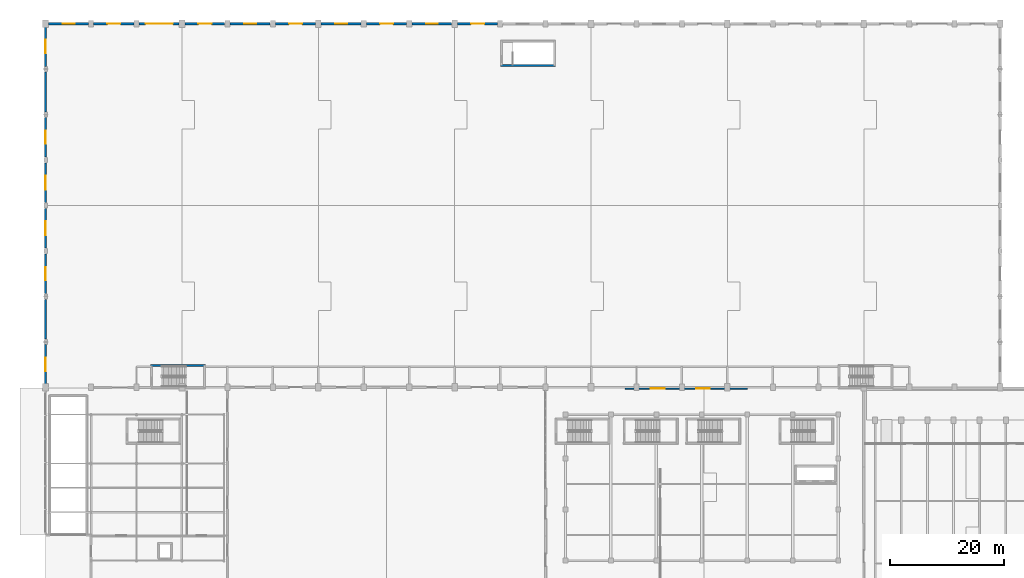
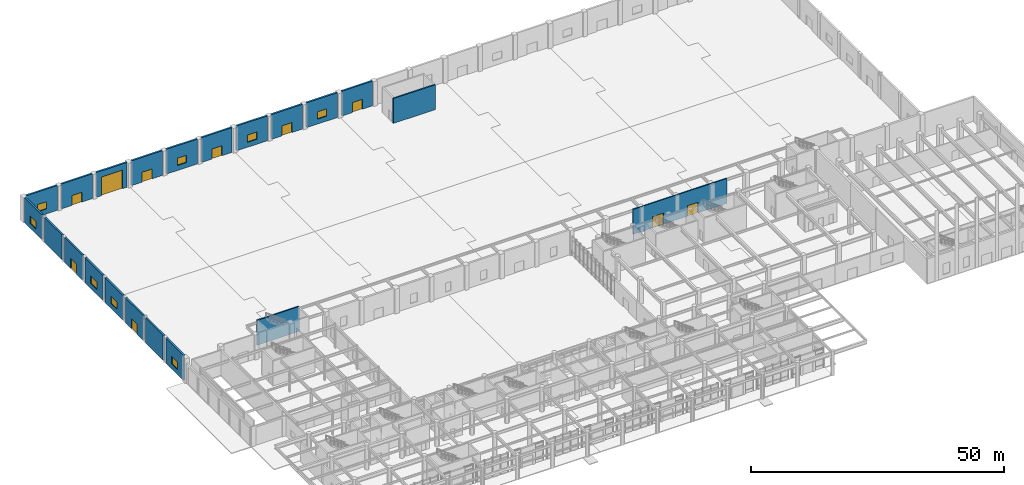
# One storey, part 33 of 49: 21 walls, 10 doors, 8 windows, 18 openings.
"""IFC4 building model written with IfcOpenShell, lengths in metres."""

from ifc_helpers import new_model, si_unit, direction, frame, frame_2d, origin, place, context, subcontext, project, spatial, rectangle, extrude, material, layer, layer_set, type_object, element, fill, save


model = new_model("IFC4")

# Units and contexts
model_context = context("Model", 3, precision=1e-05, world=origin(), true_north=direction((0.0, 1.0)))
body_context = subcontext(model_context, "Body", "Model", "MODEL_VIEW")
ifc_project = project(units=[si_unit("LENGTHUNIT", "METRE"), si_unit("AREAUNIT", "SQUARE_METRE"), si_unit("VOLUMEUNIT", "CUBIC_METRE"), si_unit("PLANEANGLEUNIT", "RADIAN"), si_unit("MASSUNIT", "GRAM", prefix="KILO")], contexts=[model_context])

# Site, building, storey
site_placement = place(None, origin())
site = spatial("IfcSite", under=ifc_project, at=site_placement, CompositionType="ELEMENT")
building_placement = place(site_placement, origin())
building = spatial("IfcBuilding", under=site, at=building_placement, Name="Tlacozan Convention Centre", CompositionType="ELEMENT")
storey_placement = place(building_placement, origin())
storey = spatial("IfcBuildingStorey", under=building, at=storey_placement, Name="L00", CompositionType="ELEMENT", Elevation=0.0)

# Wall, opening, window
ifc_material_1 = material(Name="Concrete C40/50", Category="concrete")
ifc_layer_1 = layer(ifc_material_1, 0.39990234375)
ifc_layer_set_1 = layer_set([ifc_layer_1], Name="Concrete C40/50")
wall_type_1 = type_object("IfcWallType", Name="Cantera Structural Hall Wall 400", PredefinedType="SOLIDWALL", material=ifc_layer_set_1)
wall_1_placement = place(storey_placement, frame((0.514892578125, 126.0, 0.0), z_axis=(0.0, 0.0, 1.0), x_axis=(1.0, 0.0, 0.0)))
wall_1 = element("IfcWall", 1, at=wall_1_placement, inside=storey, type_object=wall_type_1, Name="L00 Cantera Structural Hall Wall 400 13", PredefinedType="SOLIDWALL", context=body_context, shape_type="SweptSolid", body=[
    extrude(rectangle(XDim=7.02001953125, YDim=0.39990234375, at=frame_2d((3.510009765625, 0.0))), origin(), (0.0, 0.0, 1.0), 6.0),
])
opening_1_placement = place(wall_1_placement, frame((2.5, 0.0, 1.199951171875)))
opening_1 = element("IfcOpeningElement", 2, at=opening_1_placement, cuts=wall_1, Name="Opening WN-05", PredefinedType="OPENING", context=body_context, shape_type="SweptSolid", body=[
    extrude(rectangle(XDim=2.10009765625, YDim=1.75, at=frame_2d((1.050048828125, 0.875))), frame((0.0, 0.2099609375, 0.0), z_axis=(0.0, -1.0, 0.0), x_axis=(1.0, 0.0, 0.0)), (0.0, 0.0, 1.0), 0.419921875),
])
ifc_material_2 = material(Name="Solar Control Double Low-E Argon Glazing", Category="glass")
window_type_1 = type_object("IfcWindowType", Name="Exhibition Hall Gallery Window 2100x1750", PartitioningType="SINGLE_PANEL", PredefinedType="WINDOW", material=ifc_material_2)
window_1_placement = place(opening_1_placement, origin())
window_1 = element("IfcWindow", 3, at=window_1_placement, inside=storey, type_object=window_type_1, Name="L00 Exhibition Hall Gallery Window 2100x1750 1", OverallHeight=1.75, OverallWidth=2.10009765625, PartitioningType="SINGLE_PANEL", PredefinedType="WINDOW", context=body_context, shape_type="SweptSolid", body=[
    extrude(rectangle(XDim=2.10009765625, YDim=1.75, at=frame_2d((1.050048828125, 0.875))), frame((0.0, 0.030029296875, 0.0), z_axis=(0.0, -1.0, 0.0), x_axis=(1.0, 0.0, 0.0)), (0.0, 0.0, 1.0), 0.06005859375),
])
fill(opening_1, window_1)

# Wall, opening, door
wall_2_placement = place(storey_placement, frame((8.465087890625, 126.0, 0.0), z_axis=(0.0, 0.0, 1.0), x_axis=(1.0, 0.0, 0.0)))
wall_2 = element("IfcWall", 4, at=wall_2_placement, inside=storey, type_object=wall_type_1, Name="L00 Cantera Structural Hall Wall 400 15", PredefinedType="SOLIDWALL", context=body_context, shape_type="SweptSolid", body=[
    extrude(rectangle(XDim=7.06982421875, YDim=0.39990234375, at=frame_2d((3.534912109375, 0.0))), origin(), (0.0, 0.0, 1.0), 6.0),
])
opening_2_placement = place(wall_2_placement, frame((2.39990234375, 0.0, 0.0)))
opening_2 = element("IfcOpeningElement", 5, at=opening_2_placement, cuts=wall_2, Name="Opening EX-D1", PredefinedType="OPENING", context=body_context, shape_type="SweptSolid", body=[
    extrude(rectangle(XDim=2.300048828125, YDim=2.39990234375, at=frame_2d((1.14990234375, 1.199951171875))), frame((0.0, 0.2099609375, 0.0), z_axis=(0.0, -1.0, 0.0), x_axis=(1.0, 0.0, 0.0)), (0.0, 0.0, 1.0), 0.419921875),
])
ifc_material_3 = material(Name="Thermally Broken Anodised Aluminium Door", Category="aluminium")
door_type_1 = type_object("IfcDoorType", Name="Pedestrian Final Exit Double Door 2300x2400", OperationType="DOUBLE_DOOR_SINGLE_SWING", PredefinedType="DOOR", material=ifc_material_3)
door_1_placement = place(opening_2_placement, origin())
door_1 = element("IfcDoor", 6, at=door_1_placement, inside=storey, type_object=door_type_1, Name="Final Pedestrian Exit EX-01", OperationType="DOUBLE_DOOR_SINGLE_SWING", OverallHeight=2.39990234375, OverallWidth=2.300048828125, PredefinedType="DOOR", context=body_context, shape_type="SweptSolid", body=[
    extrude(rectangle(XDim=2.300048828125, YDim=2.39990234375, at=frame_2d((1.14990234375, 1.199951171875))), frame((0.0, 0.02490234375, 0.0), z_axis=(0.0, -1.0, 0.0), x_axis=(1.0, 0.0, 0.0)), (0.0, 0.0, 1.0), 0.050048828125),
])
fill(opening_2, door_1)

wall_3_placement = place(storey_placement, frame((16.465087890625, 126.0, 0.0), z_axis=(0.0, 0.0, 1.0), x_axis=(1.0, 0.0, 0.0)))
wall_3 = element("IfcWall", 7, at=wall_3_placement, inside=storey, type_object=wall_type_1, Name="L00 Cantera Structural Hall Wall 400 17", PredefinedType="SOLIDWALL", context=body_context, shape_type="SweptSolid", body=[
    extrude(rectangle(XDim=7.02001953125, YDim=0.39990234375, at=frame_2d((3.510009765625, 0.0))), origin(), (0.0, 0.0, 1.0), 6.0),
])
opening_3_placement = place(wall_3_placement, frame((1.14990234375, 0.0, 0.0)))
opening_3 = element("IfcOpeningElement", 8, at=opening_3_placement, cuts=wall_3, Name="Opening FG-01", PredefinedType="OPENING", context=body_context, shape_type="SweptSolid", body=[
    extrude(rectangle(XDim=4.800048828125, YDim=4.5, at=frame_2d((2.39990234375, 2.25))), frame((0.0, 0.2099609375, 0.0), z_axis=(0.0, -1.0, 0.0), x_axis=(1.0, 0.0, 0.0)), (0.0, 0.0, 1.0), 0.419921875),
])
ifc_material_4 = material(Name="Insulated Galvanised Roller Shutter Leaf")
door_type_2 = type_object("IfcDoorType", Name="Exhibition Freight Drive-In Gate 4800x4500", OperationType="ROLLINGUP", PredefinedType="GATE", material=ifc_material_4)
door_2_placement = place(opening_3_placement, origin())
door_2 = element("IfcDoor", 9, at=door_2_placement, inside=storey, type_object=door_type_2, Name="L00 Exhibition Freight Drive-In Gate 4800x4500 1", OperationType="ROLLINGUP", OverallHeight=4.5, OverallWidth=4.800048828125, PredefinedType="GATE", context=body_context, shape_type="SweptSolid", body=[
    extrude(rectangle(XDim=4.800048828125, YDim=4.5, at=frame_2d((2.39990234375, 2.25))), frame((0.0, 0.02490234375, 0.0), z_axis=(0.0, -1.0, 0.0), x_axis=(1.0, 0.0, 0.0)), (0.0, 0.0, 1.0), 0.050048828125),
])
fill(opening_3, door_2)

wall_4_placement = place(storey_placement, frame((24.514892578125, 126.0, 0.0), z_axis=(0.0, 0.0, 1.0), x_axis=(1.0, 0.0, 0.0)))
wall_4 = element("IfcWall", 10, at=wall_4_placement, inside=storey, type_object=wall_type_1, Name="L00 Cantera Structural Hall Wall 400 19", PredefinedType="SOLIDWALL", context=body_context, shape_type="SweptSolid", body=[
    extrude(rectangle(XDim=7.02001953125, YDim=0.39990234375, at=frame_2d((3.510009765625, 0.0))), origin(), (0.0, 0.0, 1.0), 6.0),
])
opening_4_placement = place(wall_4_placement, frame((2.39990234375, 0.0, 0.0)))
opening_4 = element("IfcOpeningElement", 11, at=opening_4_placement, cuts=wall_4, Name="Opening EX-D1", PredefinedType="OPENING", context=body_context, shape_type="SweptSolid", body=[
    extrude(rectangle(XDim=2.300048828125, YDim=2.39990234375, at=frame_2d((1.14990234375, 1.199951171875))), frame((0.0, 0.2099609375, 0.0), z_axis=(0.0, -1.0, 0.0), x_axis=(1.0, 0.0, 0.0)), (0.0, 0.0, 1.0), 0.419921875),
])
door_3_placement = place(opening_4_placement, origin())
door_3 = element("IfcDoor", 12, at=door_3_placement, inside=storey, type_object=door_type_1, Name="Final Pedestrian Exit EX-02", OperationType="DOUBLE_DOOR_SINGLE_SWING", OverallHeight=2.39990234375, OverallWidth=2.300048828125, PredefinedType="DOOR", context=body_context, shape_type="SweptSolid", body=[
    extrude(rectangle(XDim=2.300048828125, YDim=2.39990234375, at=frame_2d((1.14990234375, 1.199951171875))), frame((0.0, 0.02490234375, 0.0), z_axis=(0.0, -1.0, 0.0), x_axis=(1.0, 0.0, 0.0)), (0.0, 0.0, 1.0), 0.050048828125),
])
fill(opening_4, door_3)

# Wall, opening, window
wall_5_placement = place(storey_placement, frame((32.465087890625, 126.0, 0.0), z_axis=(0.0, 0.0, 1.0), x_axis=(1.0, 0.0, 0.0)))
wall_5 = element("IfcWall", 13, at=wall_5_placement, inside=storey, type_object=wall_type_1, Name="L00 Cantera Structural Hall Wall 400 21", PredefinedType="SOLIDWALL", context=body_context, shape_type="SweptSolid", body=[
    extrude(rectangle(XDim=7.06982421875, YDim=0.39990234375, at=frame_2d((3.534912109375, 0.0))), origin(), (0.0, 0.0, 1.0), 6.0),
])
opening_5_placement = place(wall_5_placement, frame((2.5, 0.0, 1.199951171875)))
opening_5 = element("IfcOpeningElement", 14, at=opening_5_placement, cuts=wall_5, Name="Opening WN-05", PredefinedType="OPENING", context=body_context, shape_type="SweptSolid", body=[
    extrude(rectangle(XDim=2.10009765625, YDim=1.75, at=frame_2d((1.050048828125, 0.875))), frame((0.0, 0.2099609375, 0.0), z_axis=(0.0, -1.0, 0.0), x_axis=(1.0, 0.0, 0.0)), (0.0, 0.0, 1.0), 0.419921875),
])
window_2_placement = place(opening_5_placement, origin())
window_2 = element("IfcWindow", 15, at=window_2_placement, inside=storey, type_object=window_type_1, Name="L00 Exhibition Hall Gallery Window 2100x1750 4", OverallHeight=1.75, OverallWidth=2.10009765625, PartitioningType="SINGLE_PANEL", PredefinedType="WINDOW", context=body_context, shape_type="SweptSolid", body=[
    extrude(rectangle(XDim=2.10009765625, YDim=1.75, at=frame_2d((1.050048828125, 0.875))), frame((0.0, 0.030029296875, 0.0), z_axis=(0.0, -1.0, 0.0), x_axis=(1.0, 0.0, 0.0)), (0.0, 0.0, 1.0), 0.06005859375),
])
fill(opening_5, window_2)

# Wall, opening, door
wall_6_placement = place(storey_placement, frame((40.465087890625, 126.0, 0.0), z_axis=(0.0, 0.0, 1.0), x_axis=(1.0, 0.0, 0.0)))
wall_6 = element("IfcWall", 16, at=wall_6_placement, inside=storey, type_object=wall_type_1, Name="L00 Cantera Structural Hall Wall 400 23", PredefinedType="SOLIDWALL", context=body_context, shape_type="SweptSolid", body=[
    extrude(rectangle(XDim=7.02001953125, YDim=0.39990234375, at=frame_2d((3.510009765625, 0.0))), origin(), (0.0, 0.0, 1.0), 6.0),
])
opening_6_placement = place(wall_6_placement, frame((2.39990234375, 0.0, 0.0)))
opening_6 = element("IfcOpeningElement", 17, at=opening_6_placement, cuts=wall_6, Name="Opening EX-D1", PredefinedType="OPENING", context=body_context, shape_type="SweptSolid", body=[
    extrude(rectangle(XDim=2.300048828125, YDim=2.39990234375, at=frame_2d((1.14990234375, 1.199951171875))), frame((0.0, 0.2099609375, 0.0), z_axis=(0.0, -1.0, 0.0), x_axis=(1.0, 0.0, 0.0)), (0.0, 0.0, 1.0), 0.419921875),
])
door_4_placement = place(opening_6_placement, origin())
door_4 = element("IfcDoor", 18, at=door_4_placement, inside=storey, type_object=door_type_1, Name="Final Pedestrian Exit EX-03", OperationType="DOUBLE_DOOR_SINGLE_SWING", OverallHeight=2.39990234375, OverallWidth=2.300048828125, PredefinedType="DOOR", context=body_context, shape_type="SweptSolid", body=[
    extrude(rectangle(XDim=2.300048828125, YDim=2.39990234375, at=frame_2d((1.14990234375, 1.199951171875))), frame((0.0, 0.02490234375, 0.0), z_axis=(0.0, -1.0, 0.0), x_axis=(1.0, 0.0, 0.0)), (0.0, 0.0, 1.0), 0.050048828125),
])
fill(opening_6, door_4)

# Wall, opening, window
wall_7_placement = place(storey_placement, frame((48.514892578125, 126.0, 0.0), z_axis=(0.0, 0.0, 1.0), x_axis=(1.0, 0.0, 0.0)))
wall_7 = element("IfcWall", 19, at=wall_7_placement, inside=storey, type_object=wall_type_1, Name="L00 Cantera Structural Hall Wall 400 25", PredefinedType="SOLIDWALL", context=body_context, shape_type="SweptSolid", body=[
    extrude(rectangle(XDim=7.02001953125, YDim=0.39990234375, at=frame_2d((3.510009765625, 0.0))), origin(), (0.0, 0.0, 1.0), 6.0),
])
opening_7_placement = place(wall_7_placement, frame((2.5, 0.0, 1.199951171875)))
opening_7 = element("IfcOpeningElement", 20, at=opening_7_placement, cuts=wall_7, Name="Opening WN-05", PredefinedType="OPENING", context=body_context, shape_type="SweptSolid", body=[
    extrude(rectangle(XDim=2.10009765625, YDim=1.75, at=frame_2d((1.050048828125, 0.875))), frame((0.0, 0.2099609375, 0.0), z_axis=(0.0, -1.0, 0.0), x_axis=(1.0, 0.0, 0.0)), (0.0, 0.0, 1.0), 0.419921875),
])
window_3_placement = place(opening_7_placement, origin())
window_3 = element("IfcWindow", 21, at=window_3_placement, inside=storey, type_object=window_type_1, Name="L00 Exhibition Hall Gallery Window 2100x1750 6", OverallHeight=1.75, OverallWidth=2.10009765625, PartitioningType="SINGLE_PANEL", PredefinedType="WINDOW", context=body_context, shape_type="SweptSolid", body=[
    extrude(rectangle(XDim=2.10009765625, YDim=1.75, at=frame_2d((1.050048828125, 0.875))), frame((0.0, 0.030029296875, 0.0), z_axis=(0.0, -1.0, 0.0), x_axis=(1.0, 0.0, 0.0)), (0.0, 0.0, 1.0), 0.06005859375),
])
fill(opening_7, window_3)

# Wall, opening, door
wall_8_placement = place(storey_placement, frame((56.465087890625, 126.0, 0.0), z_axis=(0.0, 0.0, 1.0), x_axis=(1.0, 0.0, 0.0)))
wall_8 = element("IfcWall", 22, at=wall_8_placement, inside=storey, type_object=wall_type_1, Name="L00 Cantera Structural Hall Wall 400 27", PredefinedType="SOLIDWALL", context=body_context, shape_type="SweptSolid", body=[
    extrude(rectangle(XDim=7.06982421875, YDim=0.39990234375, at=frame_2d((3.534912109375, 0.0))), origin(), (0.0, 0.0, 1.0), 6.0),
])
opening_8_placement = place(wall_8_placement, frame((2.39990234375, 0.0, 0.0)))
opening_8 = element("IfcOpeningElement", 23, at=opening_8_placement, cuts=wall_8, Name="Opening EX-D1", PredefinedType="OPENING", context=body_context, shape_type="SweptSolid", body=[
    extrude(rectangle(XDim=2.300048828125, YDim=2.39990234375, at=frame_2d((1.14990234375, 1.199951171875))), frame((0.0, 0.2099609375, 0.0), z_axis=(0.0, -1.0, 0.0), x_axis=(1.0, 0.0, 0.0)), (0.0, 0.0, 1.0), 0.419921875),
])
door_5_placement = place(opening_8_placement, origin())
door_5 = element("IfcDoor", 24, at=door_5_placement, inside=storey, type_object=door_type_1, Name="Final Pedestrian Exit EX-04", OperationType="DOUBLE_DOOR_SINGLE_SWING", OverallHeight=2.39990234375, OverallWidth=2.300048828125, PredefinedType="DOOR", context=body_context, shape_type="SweptSolid", body=[
    extrude(rectangle(XDim=2.300048828125, YDim=2.39990234375, at=frame_2d((1.14990234375, 1.199951171875))), frame((0.0, 0.02490234375, 0.0), z_axis=(0.0, -1.0, 0.0), x_axis=(1.0, 0.0, 0.0)), (0.0, 0.0, 1.0), 0.050048828125),
])
fill(opening_8, door_5)

# Wall, opening, window
wall_9_placement = place(storey_placement, frame((64.465087890625, 126.0, 0.0), z_axis=(0.0, 0.0, 1.0), x_axis=(1.0, 0.0, 0.0)))
wall_9 = element("IfcWall", 25, at=wall_9_placement, inside=storey, type_object=wall_type_1, Name="L00 Cantera Structural Hall Wall 400 29", PredefinedType="SOLIDWALL", context=body_context, shape_type="SweptSolid", body=[
    extrude(rectangle(XDim=7.02001953125, YDim=0.39990234375, at=frame_2d((3.510009765625, 0.0))), origin(), (0.0, 0.0, 1.0), 6.0),
])
opening_9_placement = place(wall_9_placement, frame((2.5, 0.0, 1.199951171875)))
opening_9 = element("IfcOpeningElement", 26, at=opening_9_placement, cuts=wall_9, Name="Opening WN-05", PredefinedType="OPENING", context=body_context, shape_type="SweptSolid", body=[
    extrude(rectangle(XDim=2.10009765625, YDim=1.75, at=frame_2d((1.050048828125, 0.875))), frame((0.0, 0.2099609375, 0.0), z_axis=(0.0, -1.0, 0.0), x_axis=(1.0, 0.0, 0.0)), (0.0, 0.0, 1.0), 0.419921875),
])
window_4_placement = place(opening_9_placement, origin())
window_4 = element("IfcWindow", 27, at=window_4_placement, inside=storey, type_object=window_type_1, Name="L00 Exhibition Hall Gallery Window 2100x1750 8", OverallHeight=1.75, OverallWidth=2.10009765625, PartitioningType="SINGLE_PANEL", PredefinedType="WINDOW", context=body_context, shape_type="SweptSolid", body=[
    extrude(rectangle(XDim=2.10009765625, YDim=1.75, at=frame_2d((1.050048828125, 0.875))), frame((0.0, 0.030029296875, 0.0), z_axis=(0.0, -1.0, 0.0), x_axis=(1.0, 0.0, 0.0)), (0.0, 0.0, 1.0), 0.06005859375),
])
fill(opening_9, window_4)

# Wall, opening, door
wall_10_placement = place(storey_placement, frame((72.514892578125, 126.0, 0.0), z_axis=(0.0, 0.0, 1.0), x_axis=(1.0, 0.0, 0.0)))
wall_10 = element("IfcWall", 28, at=wall_10_placement, inside=storey, type_object=wall_type_1, Name="L00 Cantera Structural Hall Wall 400 31", PredefinedType="SOLIDWALL", context=body_context, shape_type="SweptSolid", body=[
    extrude(rectangle(XDim=7.02001953125, YDim=0.39990234375, at=frame_2d((3.510009765625, 0.0))), origin(), (0.0, 0.0, 1.0), 6.0),
])
opening_10_placement = place(wall_10_placement, frame((2.39990234375, 0.0, 0.0)))
opening_10 = element("IfcOpeningElement", 29, at=opening_10_placement, cuts=wall_10, Name="Opening EX-D1", PredefinedType="OPENING", context=body_context, shape_type="SweptSolid", body=[
    extrude(rectangle(XDim=2.300048828125, YDim=2.39990234375, at=frame_2d((1.14990234375, 1.199951171875))), frame((0.0, 0.2099609375, 0.0), z_axis=(0.0, -1.0, 0.0), x_axis=(1.0, 0.0, 0.0)), (0.0, 0.0, 1.0), 0.419921875),
])
door_6_placement = place(opening_10_placement, origin())
door_6 = element("IfcDoor", 30, at=door_6_placement, inside=storey, type_object=door_type_1, Name="Final Pedestrian Exit EX-05", OperationType="DOUBLE_DOOR_SINGLE_SWING", OverallHeight=2.39990234375, OverallWidth=2.300048828125, PredefinedType="DOOR", context=body_context, shape_type="SweptSolid", body=[
    extrude(rectangle(XDim=2.300048828125, YDim=2.39990234375, at=frame_2d((1.14990234375, 1.199951171875))), frame((0.0, 0.02490234375, 0.0), z_axis=(0.0, -1.0, 0.0), x_axis=(1.0, 0.0, 0.0)), (0.0, 0.0, 1.0), 0.050048828125),
])
fill(opening_10, door_6)

# Wall, opening, window
wall_11_placement = place(storey_placement, frame((0.0, 62.5, 0.0), z_axis=(0.0, 0.0, 1.0), x_axis=(0.0, 1.0, 0.0)))
wall_11 = element("IfcWall", 31, at=wall_11_placement, inside=storey, type_object=wall_type_1, Name="L00 Cantera Structural Hall Wall 400 55", PredefinedType="SOLIDWALL", context=body_context, shape_type="SweptSolid", body=[
    extrude(rectangle(XDim=7.0, YDim=0.39990234375, at=frame_2d((3.5, 0.0))), origin(), (0.0, 0.0, 1.0), 6.0),
])
opening_11_placement = place(wall_11_placement, frame((2.300048828125, 0.0, 1.199951171875)))
opening_11 = element("IfcOpeningElement", 32, at=opening_11_placement, cuts=wall_11, Name="Opening WN-04", PredefinedType="OPENING", context=body_context, shape_type="SweptSolid", body=[
    extrude(rectangle(XDim=2.39990234375, YDim=1.800048828125, at=frame_2d((1.199951171875, 0.89990234375))), frame((0.0, 0.2099609375, 0.0), z_axis=(0.0, -1.0, 0.0), x_axis=(1.0, 0.0, 0.0)), (0.0, 0.0, 1.0), 0.419921875),
])
window_type_2 = type_object("IfcWindowType", Name="Exhibition Gable Vision Window 2400x1800", PartitioningType="SINGLE_PANEL", PredefinedType="WINDOW", material=ifc_material_2)
window_5_placement = place(opening_11_placement, origin())
window_5 = element("IfcWindow", 33, at=window_5_placement, inside=storey, type_object=window_type_2, Name="L00 Exhibition Gable Vision Window 2400x1800 23", OverallHeight=1.800048828125, OverallWidth=2.39990234375, PartitioningType="SINGLE_PANEL", PredefinedType="WINDOW", context=body_context, shape_type="SweptSolid", body=[
    extrude(rectangle(XDim=2.39990234375, YDim=1.800048828125, at=frame_2d((1.199951171875, 0.89990234375))), frame((0.0, 0.030029296875, 0.0), z_axis=(0.0, -1.0, 0.0), x_axis=(1.0, 0.0, 0.0)), (0.0, 0.0, 1.0), 0.06005859375),
])
fill(opening_11, window_5)

# Wall
wall_12_placement = place(storey_placement, frame((0.0, 70.5, 0.0), z_axis=(0.0, 0.0, 1.0), x_axis=(0.0, 1.0, 0.0)))
element("IfcWall", 34, at=wall_12_placement, inside=storey, type_object=wall_type_1, Name="L00 Cantera Structural Hall Wall 400 57", PredefinedType="SOLIDWALL", context=body_context, shape_type="SweptSolid", body=[
    extrude(rectangle(XDim=7.0, YDim=0.39990234375, at=frame_2d((3.5, 0.0))), origin(), (0.0, 0.0, 1.0), 6.0),
])

# Wall, opening, door
wall_13_placement = place(storey_placement, frame((0.0, 78.5, 0.0), z_axis=(0.0, 0.0, 1.0), x_axis=(0.0, 1.0, 0.0)))
wall_13 = element("IfcWall", 35, at=wall_13_placement, inside=storey, type_object=wall_type_1, Name="L00 Cantera Structural Hall Wall 400 59", PredefinedType="SOLIDWALL", context=body_context, shape_type="SweptSolid", body=[
    extrude(rectangle(XDim=7.0, YDim=0.39990234375, at=frame_2d((3.5, 0.0))), origin(), (0.0, 0.0, 1.0), 6.0),
])
opening_12_placement = place(wall_13_placement, frame((2.35009765625, 0.0, 0.0)))
opening_12 = element("IfcOpeningElement", 36, at=opening_12_placement, cuts=wall_13, Name="Opening EX-D1", PredefinedType="OPENING", context=body_context, shape_type="SweptSolid", body=[
    extrude(rectangle(XDim=2.300048828125, YDim=2.39990234375, at=frame_2d((1.14990234375, 1.199951171875))), frame((0.0, 0.2099609375, 0.0), z_axis=(0.0, -1.0, 0.0), x_axis=(1.0, 0.0, 0.0)), (0.0, 0.0, 1.0), 0.419921875),
])
door_7_placement = place(opening_12_placement, origin())
door_7 = element("IfcDoor", 37, at=door_7_placement, inside=storey, type_object=door_type_1, Name="Final Pedestrian Exit EX-11", OperationType="DOUBLE_DOOR_SINGLE_SWING", OverallHeight=2.39990234375, OverallWidth=2.300048828125, PredefinedType="DOOR", context=body_context, shape_type="SweptSolid", body=[
    extrude(rectangle(XDim=2.300048828125, YDim=2.39990234375, at=frame_2d((1.14990234375, 1.199951171875))), frame((0.0, 0.02490234375, 0.0), z_axis=(0.0, -1.0, 0.0), x_axis=(1.0, 0.0, 0.0)), (0.0, 0.0, 1.0), 0.050048828125),
])
fill(opening_12, door_7)

# Wall, opening, window
wall_14_placement = place(storey_placement, frame((0.0, 86.5, 0.0), z_axis=(0.0, 0.0, 1.0), x_axis=(0.0, 1.0, 0.0)))
wall_14 = element("IfcWall", 38, at=wall_14_placement, inside=storey, type_object=wall_type_1, Name="L00 Cantera Structural Hall Wall 400 61", PredefinedType="SOLIDWALL", context=body_context, shape_type="SweptSolid", body=[
    extrude(rectangle(XDim=7.0, YDim=0.39990234375, at=frame_2d((3.5, 0.0))), origin(), (0.0, 0.0, 1.0), 6.0),
])
opening_13_placement = place(wall_14_placement, frame((2.300048828125, 0.0, 1.199951171875)))
opening_13 = element("IfcOpeningElement", 39, at=opening_13_placement, cuts=wall_14, Name="Opening WN-04", PredefinedType="OPENING", context=body_context, shape_type="SweptSolid", body=[
    extrude(rectangle(XDim=2.39990234375, YDim=1.800048828125, at=frame_2d((1.199951171875, 0.89990234375))), frame((0.0, 0.2099609375, 0.0), z_axis=(0.0, -1.0, 0.0), x_axis=(1.0, 0.0, 0.0)), (0.0, 0.0, 1.0), 0.419921875),
])
window_6_placement = place(opening_13_placement, origin())
window_6 = element("IfcWindow", 40, at=window_6_placement, inside=storey, type_object=window_type_2, Name="L00 Exhibition Gable Vision Window 2400x1800 25", OverallHeight=1.800048828125, OverallWidth=2.39990234375, PartitioningType="SINGLE_PANEL", PredefinedType="WINDOW", context=body_context, shape_type="SweptSolid", body=[
    extrude(rectangle(XDim=2.39990234375, YDim=1.800048828125, at=frame_2d((1.199951171875, 0.89990234375))), frame((0.0, 0.030029296875, 0.0), z_axis=(0.0, -1.0, 0.0), x_axis=(1.0, 0.0, 0.0)), (0.0, 0.0, 1.0), 0.06005859375),
])
fill(opening_13, window_6)

wall_15_placement = place(storey_placement, frame((0.0, 94.5, 0.0), z_axis=(0.0, 0.0, 1.0), x_axis=(0.0, 1.0, 0.0)))
wall_15 = element("IfcWall", 41, at=wall_15_placement, inside=storey, type_object=wall_type_1, Name="L00 Cantera Structural Hall Wall 400 63", PredefinedType="SOLIDWALL", context=body_context, shape_type="SweptSolid", body=[
    extrude(rectangle(XDim=7.0, YDim=0.39990234375, at=frame_2d((3.5, 0.0))), origin(), (0.0, 0.0, 1.0), 6.0),
])
opening_14_placement = place(wall_15_placement, frame((2.300048828125, 0.0, 1.199951171875)))
opening_14 = element("IfcOpeningElement", 42, at=opening_14_placement, cuts=wall_15, Name="Opening WN-04", PredefinedType="OPENING", context=body_context, shape_type="SweptSolid", body=[
    extrude(rectangle(XDim=2.39990234375, YDim=1.800048828125, at=frame_2d((1.199951171875, 0.89990234375))), frame((0.0, 0.2099609375, 0.0), z_axis=(0.0, -1.0, 0.0), x_axis=(1.0, 0.0, 0.0)), (0.0, 0.0, 1.0), 0.419921875),
])
window_7_placement = place(opening_14_placement, origin())
window_7 = element("IfcWindow", 43, at=window_7_placement, inside=storey, type_object=window_type_2, Name="L00 Exhibition Gable Vision Window 2400x1800 27", OverallHeight=1.800048828125, OverallWidth=2.39990234375, PartitioningType="SINGLE_PANEL", PredefinedType="WINDOW", context=body_context, shape_type="SweptSolid", body=[
    extrude(rectangle(XDim=2.39990234375, YDim=1.800048828125, at=frame_2d((1.199951171875, 0.89990234375))), frame((0.0, 0.030029296875, 0.0), z_axis=(0.0, -1.0, 0.0), x_axis=(1.0, 0.0, 0.0)), (0.0, 0.0, 1.0), 0.06005859375),
])
fill(opening_14, window_7)

# Wall, opening, door
wall_16_placement = place(storey_placement, frame((0.0, 102.5, 0.0), z_axis=(0.0, 0.0, 1.0), x_axis=(0.0, 1.0, 0.0)))
wall_16 = element("IfcWall", 44, at=wall_16_placement, inside=storey, type_object=wall_type_1, Name="L00 Cantera Structural Hall Wall 400 65", PredefinedType="SOLIDWALL", context=body_context, shape_type="SweptSolid", body=[
    extrude(rectangle(XDim=7.0, YDim=0.39990234375, at=frame_2d((3.5, 0.0))), origin(), (0.0, 0.0, 1.0), 6.0),
])
opening_15_placement = place(wall_16_placement, frame((2.35009765625, 0.0, 0.0)))
opening_15 = element("IfcOpeningElement", 45, at=opening_15_placement, cuts=wall_16, Name="Opening EX-D1", PredefinedType="OPENING", context=body_context, shape_type="SweptSolid", body=[
    extrude(rectangle(XDim=2.300048828125, YDim=2.39990234375, at=frame_2d((1.14990234375, 1.199951171875))), frame((0.0, 0.2099609375, 0.0), z_axis=(0.0, -1.0, 0.0), x_axis=(1.0, 0.0, 0.0)), (0.0, 0.0, 1.0), 0.419921875),
])
door_8_placement = place(opening_15_placement, origin())
door_8 = element("IfcDoor", 46, at=door_8_placement, inside=storey, type_object=door_type_1, Name="Final Pedestrian Exit EX-12", OperationType="DOUBLE_DOOR_SINGLE_SWING", OverallHeight=2.39990234375, OverallWidth=2.300048828125, PredefinedType="DOOR", context=body_context, shape_type="SweptSolid", body=[
    extrude(rectangle(XDim=2.300048828125, YDim=2.39990234375, at=frame_2d((1.14990234375, 1.199951171875))), frame((0.0, 0.02490234375, 0.0), z_axis=(0.0, -1.0, 0.0), x_axis=(1.0, 0.0, 0.0)), (0.0, 0.0, 1.0), 0.050048828125),
])
fill(opening_15, door_8)

# Wall
wall_17_placement = place(storey_placement, frame((0.0, 110.5, 0.0), z_axis=(0.0, 0.0, 1.0), x_axis=(0.0, 1.0, 0.0)))
element("IfcWall", 47, at=wall_17_placement, inside=storey, type_object=wall_type_1, Name="L00 Cantera Structural Hall Wall 400 67", PredefinedType="SOLIDWALL", context=body_context, shape_type="SweptSolid", body=[
    extrude(rectangle(XDim=7.0, YDim=0.39990234375, at=frame_2d((3.5, 0.0))), origin(), (0.0, 0.0, 1.0), 6.0),
])

# Wall, opening, window
wall_18_placement = place(storey_placement, frame((0.0, 118.5, 0.0), z_axis=(0.0, 0.0, 1.0), x_axis=(0.0, 1.0, 0.0)))
wall_18 = element("IfcWall", 48, at=wall_18_placement, inside=storey, type_object=wall_type_1, Name="L00 Cantera Structural Hall Wall 400 69", PredefinedType="SOLIDWALL", context=body_context, shape_type="SweptSolid", body=[
    extrude(rectangle(XDim=7.0, YDim=0.39990234375, at=frame_2d((3.5, 0.0))), origin(), (0.0, 0.0, 1.0), 6.0),
])
opening_16_placement = place(wall_18_placement, frame((2.300048828125, 0.0, 1.199951171875)))
opening_16 = element("IfcOpeningElement", 49, at=opening_16_placement, cuts=wall_18, Name="Opening WN-04", PredefinedType="OPENING", context=body_context, shape_type="SweptSolid", body=[
    extrude(rectangle(XDim=2.39990234375, YDim=1.800048828125, at=frame_2d((1.199951171875, 0.89990234375))), frame((0.0, 0.2099609375, 0.0), z_axis=(0.0, -1.0, 0.0), x_axis=(1.0, 0.0, 0.0)), (0.0, 0.0, 1.0), 0.419921875),
])
window_8_placement = place(opening_16_placement, origin())
window_8 = element("IfcWindow", 50, at=window_8_placement, inside=storey, type_object=window_type_2, Name="L00 Exhibition Gable Vision Window 2400x1800 30", OverallHeight=1.800048828125, OverallWidth=2.39990234375, PartitioningType="SINGLE_PANEL", PredefinedType="WINDOW", context=body_context, shape_type="SweptSolid", body=[
    extrude(rectangle(XDim=2.39990234375, YDim=1.800048828125, at=frame_2d((1.199951171875, 0.89990234375))), frame((0.0, 0.030029296875, 0.0), z_axis=(0.0, -1.0, 0.0), x_axis=(1.0, 0.0, 0.0)), (0.0, 0.0, 1.0), 0.06005859375),
])
fill(opening_16, window_8)

# Wall, openings, doors
ifc_layer_2 = layer(ifc_material_1, 0.260009765625)
ifc_layer_set_2 = layer_set([ifc_layer_2], Name="Concrete C40/50")
wall_type_2 = type_object("IfcWallType", Name="Compartment Rated Wall RC 260", PredefinedType="SOLIDWALL", material=ifc_layer_set_2)
wall_19_placement = place(storey_placement, frame((102.0, 61.800048828125, 0.0), z_axis=(0.0, 0.0, 1.0), x_axis=(1.0, 0.0, 0.0)))
wall_19 = element("IfcWall", 51, at=wall_19_placement, inside=storey, type_object=wall_type_2, Name="L00 Compartment Rated Wall RC 260 578", PredefinedType="SOLIDWALL", context=body_context, shape_type="SweptSolid", body=[
    extrude(rectangle(XDim=21.5, YDim=0.260009765625, at=frame_2d((10.75, 0.0))), origin(), (0.0, 0.0, 1.0), 6.0),
])
opening_17_placement = place(wall_19_placement, frame((4.5, 0.0, 0.0)))
opening_17 = element("IfcOpeningElement", 52, at=opening_17_placement, cuts=wall_19, Name="Opening ID-10", PredefinedType="OPENING", context=body_context, shape_type="SweptSolid", body=[
    extrude(rectangle(XDim=2.449951171875, YDim=2.699951171875, at=frame_2d((1.22509765625, 1.35009765625))), frame((0.0, 0.139892578125, 0.0), z_axis=(0.0, -1.0, 0.0), x_axis=(1.0, 0.0, 0.0)), (0.0, 0.0, 1.0), 0.280029296875),
])
opening_18_placement = place(wall_19_placement, frame((12.5, 0.0, 0.0)))
opening_18 = element("IfcOpeningElement", 53, at=opening_18_placement, cuts=wall_19, Name="Opening FD-06", PredefinedType="OPENING", context=body_context, shape_type="SweptSolid", body=[
    extrude(rectangle(XDim=2.35009765625, YDim=2.550048828125, at=frame_2d((1.175048828125, 1.27490234375))), frame((0.0, 0.139892578125, 0.0), z_axis=(0.0, -1.0, 0.0), x_axis=(1.0, 0.0, 0.0)), (0.0, 0.0, 1.0), 0.280029296875),
])
ifc_material_5 = material(Name="Acoustic Solid-Core Oak Veneer Door")
door_type_3 = type_object("IfcDoorType", Name="Exhibition Hall Double Door 2450x2700", OperationType="DOUBLE_DOOR_SINGLE_SWING", PredefinedType="DOOR", material=ifc_material_5)
door_9_placement = place(opening_17_placement, origin())
door_9 = element("IfcDoor", 54, at=door_9_placement, inside=storey, type_object=door_type_3, Name="L00 Exhibition Hall Double Door 2450x2700 165", OperationType="DOUBLE_DOOR_SINGLE_SWING", OverallHeight=2.699951171875, OverallWidth=2.449951171875, PredefinedType="DOOR", context=body_context, shape_type="SweptSolid", body=[
    extrude(rectangle(XDim=2.449951171875, YDim=2.699951171875, at=frame_2d((1.22509765625, 1.35009765625))), frame((0.0, 0.02490234375, 0.0), z_axis=(0.0, -1.0, 0.0), x_axis=(1.0, 0.0, 0.0)), (0.0, 0.0, 1.0), 0.050048828125),
])
fill(opening_17, door_9)
ifc_material_6 = material(Name="Fire-Rated Insulated Steel Door Leaf", Category="steel")
door_type_4 = type_object("IfcDoorType", Name="Fire Door Hall Double 2350x2550 FD90", OperationType="DOUBLE_DOOR_SINGLE_SWING", PredefinedType="DOOR", material=ifc_material_6)
door_10_placement = place(opening_18_placement, origin())
door_10 = element("IfcDoor", 55, at=door_10_placement, inside=storey, type_object=door_type_4, Name="L00 Fire Door Hall Double 2350x2550 FD90 166", OperationType="DOUBLE_DOOR_SINGLE_SWING", OverallHeight=2.550048828125, OverallWidth=2.35009765625, PredefinedType="DOOR", context=body_context, shape_type="SweptSolid", body=[
    extrude(rectangle(XDim=2.35009765625, YDim=2.550048828125, at=frame_2d((1.175048828125, 1.27490234375))), frame((0.0, 0.02490234375, 0.0), z_axis=(0.0, -1.0, 0.0), x_axis=(1.0, 0.0, 0.0)), (0.0, 0.0, 1.0), 0.050048828125),
])
fill(opening_18, door_10)

# Walls
ifc_layer_3 = layer(ifc_material_1, 0.31005859375)
ifc_layer_set_3 = layer_set([ifc_layer_3], Name="Concrete C40/50")
wall_type_3 = type_object("IfcWallType", Name="Stair Shaft Shear Wall RC 310", PredefinedType="SHEAR", material=ifc_layer_set_3)
wall_20_placement = place(storey_placement, frame((18.485107421875, 65.860107421875, 0.0), z_axis=(0.0, 0.0, 1.0), x_axis=(1.0, 0.0, 0.0)))
element("IfcWall", 56, at=wall_20_placement, inside=storey, type_object=wall_type_3, Name="L00 Stair Shaft Shear Wall RC 310 486", PredefinedType="SHEAR", context=body_context, shape_type="SweptSolid", body=[
    extrude(rectangle(XDim=9.6298828125, YDim=0.31005859375, at=frame_2d((4.81494140625, 0.0))), origin(), (0.0, 0.0, 1.0), 6.0),
])
wall_21_placement = place(storey_placement, frame((80.0849609375, 118.639892578125, 0.0), z_axis=(0.0, 0.0, 1.0), x_axis=(1.0, 0.0, 0.0)))
element("IfcWall", 57, at=wall_21_placement, inside=storey, type_object=wall_type_3, Name="L00 Stair Shaft Shear Wall RC 310 509", PredefinedType="SHEAR", context=body_context, shape_type="SweptSolid", body=[
    extrude(rectangle(XDim=9.630126953125, YDim=0.31005859375, at=frame_2d((4.81494140625, 0.0))), origin(), (0.0, 0.0, 1.0), 6.0),
])

save(model, "model.ifc")
